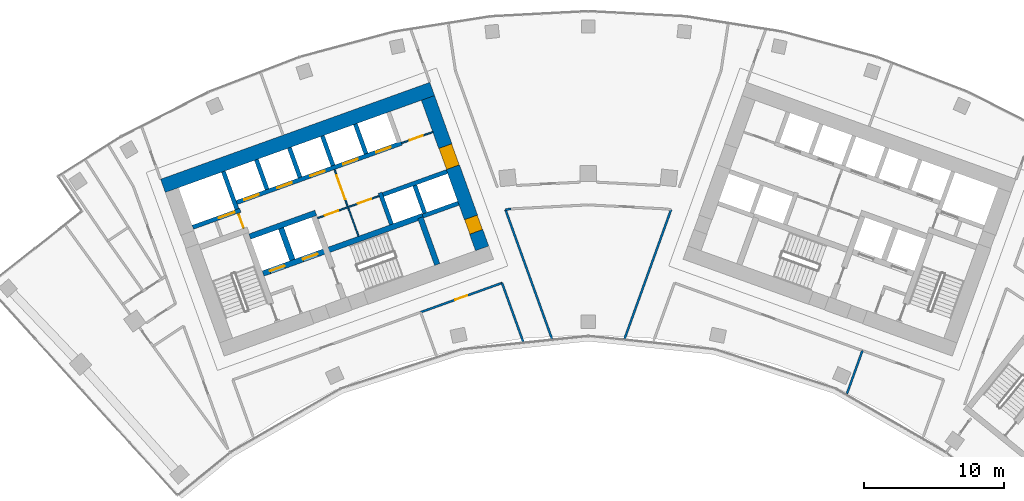
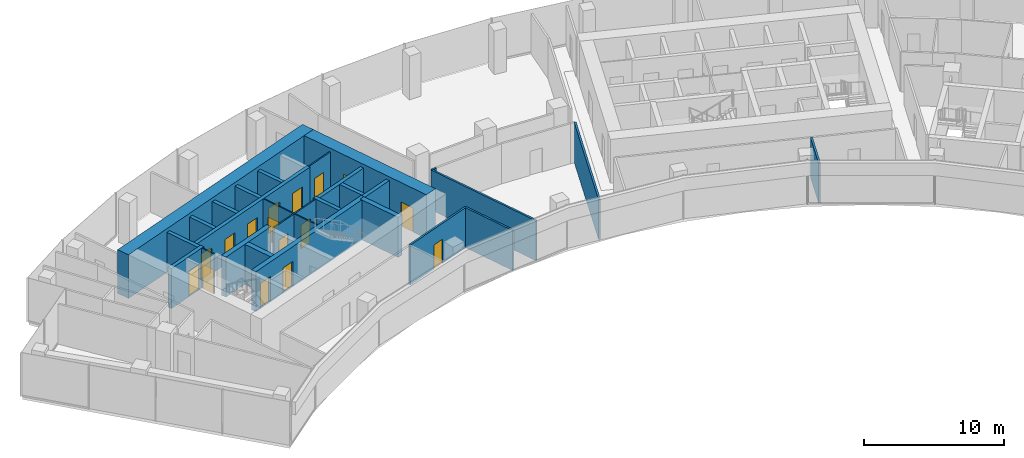
# One storey, part 12 of 17: 27 walls, 16 doors, 16 openings.
"""IFC4 building model written with IfcOpenShell, lengths in metres."""

from ifc_helpers import new_model, si_unit, direction, frame, frame_2d, origin, place, context, subcontext, project, spatial, rectangle, extrude, material, layer, layer_set, type_object, element, fill, save


model = new_model("IFC4")

# Units and contexts
model_context = context("Model", 3, precision=1e-05, world=origin(), true_north=direction((0.0, 1.0)))
body_context = subcontext(model_context, "Body", "Model", "MODEL_VIEW")
ifc_project = project(units=[si_unit("LENGTHUNIT", "METRE"), si_unit("AREAUNIT", "SQUARE_METRE"), si_unit("VOLUMEUNIT", "CUBIC_METRE"), si_unit("PLANEANGLEUNIT", "RADIAN"), si_unit("MASSUNIT", "GRAM", prefix="KILO")], contexts=[model_context])

# Site, building, storey
site_placement = place(None, origin())
site = spatial("IfcSite", under=ifc_project, at=site_placement, CompositionType="ELEMENT")
building_placement = place(site_placement, origin())
building = spatial("IfcBuilding", under=site, at=building_placement, Name="Stone Belt Terrace Tower", CompositionType="ELEMENT")
storey_placement = place(building_placement, frame((0.0, 0.0, 231.39990234375)))
storey = spatial("IfcBuildingStorey", under=building, at=storey_placement, Name="L56", CompositionType="ELEMENT", Elevation=231.39990234375)

# Wall, opening, door
ifc_material_1 = material(Name="Plasterboard partition")
ifc_layer_1 = layer(ifc_material_1, 0.10009765625)
ifc_layer_set_1 = layer_set([ifc_layer_1], Name="Core partition 100")
wall_type_1 = type_object("IfcWallType", Name="Core partition 100", PredefinedType="PARTITIONING", material=ifc_layer_set_1)
wall_1_placement = place(storey_placement, frame((-24.555908203125, 51.10400390625, 0.0), z_axis=(0.0, 0.0, 1.0), x_axis=(-0.338621735342, 0.94092258999, 0.0)))
wall_1 = element("IfcWall", 1, at=wall_1_placement, inside=storey, type_object=wall_type_1, Name="Core A wall", PredefinedType="PARTITIONING", context=body_context, shape_type="SweptSolid", body=[
    extrude(rectangle(XDim=1.14990234375, YDim=0.10009765625, at=frame_2d((0.574951171875, 0.0))), origin(), (0.0, 0.0, 1.0), 3.47998046875),
])
opening_1_placement = place(wall_1_placement, frame((0.050048828125, 0.0, 0.0)))
opening_1 = element("IfcOpeningElement", 2, at=opening_1_placement, cuts=wall_1, Name="Opening L56-C05", PredefinedType="OPENING", context=body_context, shape_type="SweptSolid", body=[
    extrude(rectangle(XDim=1.0, YDim=2.10009765625, at=frame_2d((0.5, 1.050048828125))), frame((0.0, 0.06005859375, 0.0), z_axis=(0.0, -1.0, 0.0), x_axis=(1.0, 0.0, 0.0)), (0.0, 0.0, 1.0), 0.1201171875),
])
ifc_material_2 = material(Name="Timber door leaf", Category="wood")
door_type_1 = type_object("IfcDoorType", Name="Core room door 1000", OperationType="SINGLE_SWING_LEFT", PredefinedType="DOOR", material=ifc_material_2)
door_1_placement = place(opening_1_placement, origin())
door_1 = element("IfcDoor", 3, at=door_1_placement, inside=storey, type_object=door_type_1, Name="Service lift lobby door core A", OperationType="SINGLE_SWING_RIGHT", OverallHeight=2.10009765625, OverallWidth=1.0, PredefinedType="DOOR", context=body_context, shape_type="SweptSolid", body=[
    extrude(rectangle(XDim=1.0, YDim=2.10009765625, at=frame_2d((0.5, 1.050048828125))), frame((0.0, 0.02490234375, 0.0), z_axis=(0.0, -1.0, 0.0), x_axis=(1.0, 0.0, 0.0)), (0.0, 0.0, 1.0), 0.050048828125),
])
fill(opening_1, door_1)

# Wall, openings, doors
wall_2_placement = place(storey_placement, frame((-19.29052734375, 51.829833984375, 0.0), z_axis=(0.0, 0.0, 1.0), x_axis=(0.940930240745, 0.338600475563, 0.0)))
wall_2 = element("IfcWall", 4, at=wall_2_placement, inside=storey, type_object=wall_type_1, Name="Core A wall", PredefinedType="PARTITIONING", context=body_context, shape_type="SweptSolid", body=[
    extrude(rectangle(XDim=4.64990234375, YDim=0.10009765625, at=frame_2d((2.324951171875, 0.0))), origin(), (0.0, 0.0, 1.0), 3.47998046875),
])
opening_2_placement = place(wall_2_placement, frame((0.550048828125, 0.0, 0.0)))
opening_2 = element("IfcOpeningElement", 5, at=opening_2_placement, cuts=wall_2, Name="Opening L56-C02", PredefinedType="OPENING", context=body_context, shape_type="SweptSolid", body=[
    extrude(rectangle(XDim=1.0, YDim=2.10009765625, at=frame_2d((0.5, 1.050048828125))), frame((0.0, 0.06005859375, 0.0), z_axis=(0.0, -1.0, 0.0), x_axis=(1.0, 0.0, 0.0)), (0.0, 0.0, 1.0), 0.1201171875),
])
opening_3_placement = place(wall_2_placement, frame((3.050048828125, 0.0, 0.0)))
opening_3 = element("IfcOpeningElement", 6, at=opening_3_placement, cuts=wall_2, Name="Opening L56-C03", PredefinedType="OPENING", context=body_context, shape_type="SweptSolid", body=[
    extrude(rectangle(XDim=1.0, YDim=2.10009765625, at=frame_2d((0.5, 1.050048828125))), frame((0.0, 0.06005859375, 0.0), z_axis=(0.0, -1.0, 0.0), x_axis=(1.0, 0.0, 0.0)), (0.0, 0.0, 1.0), 0.1201171875),
])
door_2_placement = place(opening_2_placement, origin())
door_2 = element("IfcDoor", 7, at=door_2_placement, inside=storey, type_object=door_type_1, Name="Door to Communications hub room core A", OperationType="SINGLE_SWING_RIGHT", OverallHeight=2.10009765625, OverallWidth=1.0, PredefinedType="DOOR", context=body_context, shape_type="SweptSolid", body=[
    extrude(rectangle(XDim=1.0, YDim=2.10009765625, at=frame_2d((0.5, 1.050048828125))), frame((0.0, 0.02490234375, 0.0), z_axis=(0.0, -1.0, 0.0), x_axis=(1.0, 0.0, 0.0)), (0.0, 0.0, 1.0), 0.050048828125),
])
fill(opening_2, door_2)
door_3_placement = place(opening_3_placement, origin())
door_3 = element("IfcDoor", 8, at=door_3_placement, inside=storey, type_object=door_type_1, Name="Door to Print and copy room core A", OperationType="SINGLE_SWING_LEFT", OverallHeight=2.10009765625, OverallWidth=1.0, PredefinedType="DOOR", context=body_context, shape_type="SweptSolid", body=[
    extrude(rectangle(XDim=1.0, YDim=2.10009765625, at=frame_2d((0.5, 1.050048828125))), frame((0.0, 0.02490234375, 0.0), z_axis=(0.0, -1.0, 0.0), x_axis=(1.0, 0.0, 0.0)), (0.0, 0.0, 1.0), 0.050048828125),
])
fill(opening_3, door_3)

# Wall, opening, door
wall_3_placement = place(storey_placement, frame((-16.38134765625, 50.53857421875, 0.0), z_axis=(0.0, 0.0, 1.0), x_axis=(-0.33860476744, 0.940928696271, 0.0)))
wall_3 = element("IfcWall", 9, at=wall_3_placement, inside=storey, type_object=wall_type_1, Name="Core A wall", PredefinedType="PARTITIONING", context=body_context, shape_type="SweptSolid", body=[
    extrude(rectangle(XDim=5.050048828125, YDim=0.10009765625, at=frame_2d((2.52490234375, 0.0))), origin(), (0.0, 0.0, 1.0), 3.47998046875),
])
opening_4_placement = place(wall_3_placement, frame((2.800048828125, 0.0, 0.0)))
opening_4 = element("IfcOpeningElement", 10, at=opening_4_placement, cuts=wall_3, Name="Opening L56-C06", PredefinedType="OPENING", context=body_context, shape_type="SweptSolid", body=[
    extrude(rectangle(XDim=1.800048828125, YDim=2.10009765625, at=frame_2d((0.89990234375, 1.050048828125))), frame((0.0, 0.06005859375, 0.0), z_axis=(0.0, -1.0, 0.0), x_axis=(1.0, 0.0, 0.0)), (0.0, 0.0, 1.0), 0.1201171875),
])
ifc_material_3 = material(Name="Glazed aluminium door leaf", Category="aluminium")
door_type_2 = type_object("IfcDoorType", Name="Lift lobby entrance door 1800", OperationType="DOUBLE_DOOR_SINGLE_SWING", PredefinedType="DOOR", material=ifc_material_3)
door_4_placement = place(opening_4_placement, origin())
door_4 = element("IfcDoor", 11, at=door_4_placement, inside=storey, type_object=door_type_2, Name="Lift lobby double door core A", OperationType="DOUBLE_DOOR_SINGLE_SWING", OverallHeight=2.10009765625, OverallWidth=1.800048828125, PredefinedType="DOOR", context=body_context, shape_type="SweptSolid", body=[
    extrude(rectangle(XDim=1.800048828125, YDim=2.10009765625, at=frame_2d((0.89990234375, 1.050048828125))), frame((0.0, 0.02490234375, 0.0), z_axis=(0.0, -1.0, 0.0), x_axis=(1.0, 0.0, 0.0)), (0.0, 0.0, 1.0), 0.050048828125),
])
fill(opening_4, door_4)

wall_4_placement = place(storey_placement, frame((-13.29638671875, 57.17529296875, 0.0), z_axis=(0.0, 0.0, 1.0), x_axis=(0.940904627055, 0.338671644496, 0.0)))
wall_4 = element("IfcWall", 12, at=wall_4_placement, inside=storey, type_object=wall_type_1, Name="Core A wall", PredefinedType="PARTITIONING", context=body_context, shape_type="SweptSolid", body=[
    extrude(rectangle(XDim=2.35009765625, YDim=0.10009765625, at=frame_2d((1.175048828125, 0.0))), origin(), (0.0, 0.0, 1.0), 3.47998046875),
])
opening_5_placement = place(wall_4_placement, frame((0.60009765625, 0.0, 0.0)))
opening_5 = element("IfcOpeningElement", 13, at=opening_5_placement, cuts=wall_4, Name="Opening L56-C01", PredefinedType="OPENING", context=body_context, shape_type="SweptSolid", body=[
    extrude(rectangle(XDim=1.0, YDim=2.10009765625, at=frame_2d((0.5, 1.050048828125))), frame((0.0, 0.06005859375, 0.0), z_axis=(0.0, -1.0, 0.0), x_axis=(1.0, 0.0, 0.0)), (0.0, 0.0, 1.0), 0.1201171875),
])
door_5_placement = place(opening_5_placement, origin())
door_5 = element("IfcDoor", 14, at=door_5_placement, inside=storey, type_object=door_type_1, Name="Door to Tenant storage room core A", OperationType="SINGLE_SWING_RIGHT", OverallHeight=2.10009765625, OverallWidth=1.0, PredefinedType="DOOR", context=body_context, shape_type="SweptSolid", body=[
    extrude(rectangle(XDim=1.0, YDim=2.10009765625, at=frame_2d((0.5, 1.050048828125))), frame((0.0, 0.02490234375, 0.0), z_axis=(0.0, -1.0, 0.0), x_axis=(1.0, 0.0, 0.0)), (0.0, 0.0, 1.0), 0.050048828125),
])
fill(opening_5, door_5)

# Wall
ifc_material_4 = material(Name="Concrete B60", Category="concrete")
ifc_layer_2 = layer(ifc_material_4, 1.0)
ifc_layer_set_2 = layer_set([ifc_layer_2], Name="Core wall 1000 B60")
wall_type_2 = type_object("IfcWallType", Name="Core wall 1000 B60", PredefinedType="SHEAR", material=ifc_layer_set_2)
wall_5_placement = place(storey_placement, frame((-30.3212890625, 54.13037109375, 0.0), z_axis=(0.0, 0.0, 1.0), x_axis=(0.940921428504, 0.338624962727, 0.0)))
element("IfcWall", 15, at=wall_5_placement, inside=storey, type_object=wall_type_2, Name="Core A wall convex L56", PredefinedType="SHEAR", context=body_context, shape_type="SweptSolid", body=[
    extrude(rectangle(XDim=20.400146484375, YDim=1.0, at=frame_2d((10.2001953125, 0.0))), origin(), (0.0, 0.0, 1.0), 3.800048828125),
])

# Wall, openings, doors
wall_6_placement = place(storey_placement, frame((-7.567138671875, 49.672119140625, 0.0), z_axis=(0.0, 0.0, 1.0), x_axis=(-0.338625431531, 0.940921259788, 0.0)))
wall_6 = element("IfcWall", 16, at=wall_6_placement, inside=storey, type_object=wall_type_2, Name="Core A wall end_b L56", PredefinedType="SHEAR", context=body_context, shape_type="SweptSolid", body=[
    extrude(rectangle(XDim=11.400146484375, YDim=1.0, at=frame_2d((5.7001953125, 0.0))), origin(), (0.0, 0.0, 1.0), 3.800048828125),
])
opening_6_placement = place(wall_6_placement, frame((6.14990234375, 0.0, 0.0)))
opening_6 = element("IfcOpeningElement", 17, at=opening_6_placement, cuts=wall_6, Name="Opening L56-C07", PredefinedType="OPENING", context=body_context, shape_type="SweptSolid", body=[
    extrude(rectangle(XDim=1.60009765625, YDim=2.10009765625, at=frame_2d((0.800048828125, 1.050048828125))), frame((0.0, 0.510009765625, 0.0), z_axis=(0.0, -1.0, 0.0), x_axis=(1.0, 0.0, 0.0)), (0.0, 0.0, 1.0), 1.02001953125),
])
opening_7_placement = place(wall_6_placement, frame((1.25, 0.0, 0.0)))
opening_7 = element("IfcOpeningElement", 18, at=opening_7_placement, cuts=wall_6, Name="Opening L56-C13", PredefinedType="OPENING", context=body_context, shape_type="SweptSolid", body=[
    extrude(rectangle(XDim=1.10009765625, YDim=2.10009765625, at=frame_2d((0.550048828125, 1.050048828125))), frame((0.0, 0.510009765625, 0.0), z_axis=(0.0, -1.0, 0.0), x_axis=(1.0, 0.0, 0.0)), (0.0, 0.0, 1.0), 1.02001953125),
])
door_type_3 = type_object("IfcDoorType", Name="Core room door 1100", OperationType="SINGLE_SWING_LEFT", PredefinedType="DOOR", material=ifc_material_2)
door_6_placement = place(opening_7_placement, origin())
door_6 = element("IfcDoor", 19, at=door_6_placement, inside=storey, type_object=door_type_3, Name="Door to Electrical riser room core A", OperationType="SINGLE_SWING_RIGHT", OverallHeight=2.10009765625, OverallWidth=1.10009765625, PredefinedType="DOOR", context=body_context, shape_type="SweptSolid", body=[
    extrude(rectangle(XDim=1.10009765625, YDim=2.10009765625, at=frame_2d((0.550048828125, 1.050048828125))), frame((0.0, 0.47998046875, 0.0), z_axis=(0.0, -1.0, 0.0), x_axis=(1.0, 0.0, 0.0)), (0.0, 0.0, 1.0), 0.9599609375),
])
fill(opening_7, door_6)
door_type_4 = type_object("IfcDoorType", Name="Lift lobby entrance door 1600", OperationType="DOUBLE_DOOR_SINGLE_SWING", PredefinedType="DOOR", material=ifc_material_3)
door_7_placement = place(opening_6_placement, origin())
door_7 = element("IfcDoor", 20, at=door_7_placement, inside=storey, type_object=door_type_4, Name="Lift lobby entrance door core A", OperationType="DOUBLE_DOOR_SINGLE_SWING", OverallHeight=2.10009765625, OverallWidth=1.60009765625, PredefinedType="DOOR", context=body_context, shape_type="SweptSolid", body=[
    extrude(rectangle(XDim=1.60009765625, YDim=2.10009765625, at=frame_2d((0.800048828125, 1.050048828125))), frame((0.0, 0.47998046875, 0.0), z_axis=(0.0, -1.0, 0.0), x_axis=(1.0, 0.0, 0.0)), (0.0, 0.0, 1.0), 0.9599609375),
])
fill(opening_6, door_7)

# Walls
ifc_material_5 = material(Name="Concrete B80", Category="concrete")
ifc_layer_3 = layer(ifc_material_5, 0.39990234375)
ifc_layer_set_3 = layer_set([ifc_layer_3], Name="Fire-fighting lift shaft wall 400")
wall_type_3 = type_object("IfcWallType", Name="Fire-fighting lift shaft wall 400", PredefinedType="SHEAR", material=ifc_layer_set_3)
wall_7_placement = place(storey_placement, frame((-24.130615234375, 50.512939453125, 0.0), z_axis=(0.0, 0.0, 1.0), x_axis=(0.94091168377, 0.338652038744, 0.0)))
element("IfcWall", 21, at=wall_7_placement, inside=storey, type_object=wall_type_3, Name="Core A wall", PredefinedType="SHEAR", context=body_context, shape_type="SweptSolid", body=[
    extrude(rectangle(XDim=5.000244140625, YDim=0.39990234375, at=frame_2d((2.5, 0.0))), origin(), (0.0, 0.0, 1.0), 3.47998046875),
])
wall_8_placement = place(storey_placement, frame((-21.0859375, 48.845458984375, 0.0), z_axis=(0.0, 0.0, 1.0), x_axis=(-0.338629416206, 0.940919825745, 0.0)))
element("IfcWall", 22, at=wall_8_placement, inside=storey, type_object=wall_type_3, Name="Core A wall", PredefinedType="SHEAR", context=body_context, shape_type="SweptSolid", body=[
    extrude(rectangle(XDim=2.400146484375, YDim=0.39990234375, at=frame_2d((1.2001953125, 0.0))), origin(), (0.0, 0.0, 1.0), 3.47998046875),
])

# Wall, opening, door
ifc_layer_4 = layer(ifc_material_5, 0.300048828125)
ifc_layer_set_4 = layer_set([ifc_layer_4], Name="Lift shaft wall 300")
wall_type_4 = type_object("IfcWallType", Name="Lift shaft wall 300", PredefinedType="SHEAR", material=ifc_layer_set_4)
wall_9_placement = place(storey_placement, frame((-28.195068359375, 51.17578125, 0.0), z_axis=(0.0, 0.0, 1.0), x_axis=(0.940901243567, 0.338681044427, 0.0)))
wall_9 = element("IfcWall", 23, at=wall_9_placement, inside=storey, type_object=wall_type_4, Name="Core A wall", PredefinedType="SHEAR", context=body_context, shape_type="SweptSolid", body=[
    extrude(rectangle(XDim=3.599853515625, YDim=0.300048828125, at=frame_2d((1.7998046875, 0.0))), origin(), (0.0, 0.0, 1.0), 3.47998046875),
])
opening_8_placement = place(wall_9_placement, frame((1.969970703125, 0.0, 0.0)))
opening_8 = element("IfcOpeningElement", 24, at=opening_8_placement, cuts=wall_9, Name="Opening L56-LD08", PredefinedType="OPENING", context=body_context, shape_type="SweptSolid", body=[
    extrude(rectangle(XDim=1.199951171875, YDim=2.199951171875, at=frame_2d((0.60009765625, 1.10009765625))), frame((0.0, 0.159912109375, 0.0), z_axis=(0.0, -1.0, 0.0), x_axis=(1.0, 0.0, 0.0)), (0.0, 0.0, 1.0), 0.320068359375),
])
ifc_material_6 = material(Name="Stainless steel door leaf", Category="steel")
door_type_5 = type_object("IfcDoorType", Name="Landing door 1200", OperationType="SLIDING_TO_LEFT", PredefinedType="DOOR", material=ifc_material_6)
door_8_placement = place(opening_8_placement, origin())
door_8 = element("IfcDoor", 25, at=door_8_placement, inside=storey, type_object=door_type_5, Name="Landing door SV1 core A", OperationType="SLIDING_TO_LEFT", OverallHeight=2.199951171875, OverallWidth=1.199951171875, PredefinedType="DOOR", context=body_context, shape_type="SweptSolid", body=[
    extrude(rectangle(XDim=1.199951171875, YDim=2.199951171875, at=frame_2d((0.60009765625, 1.10009765625))), frame((0.0, 0.02490234375, 0.0), z_axis=(0.0, -1.0, 0.0), x_axis=(1.0, 0.0, 0.0)), (0.0, 0.0, 1.0), 0.050048828125),
])
fill(opening_8, door_8)

# Wall
wall_10_placement = place(storey_placement, frame((-25.046875, 52.46826171875, 0.0), z_axis=(0.0, 0.0, 1.0), x_axis=(-0.338549588058, 0.940948551423, 0.0)))
element("IfcWall", 26, at=wall_10_placement, inside=storey, type_object=wall_type_4, Name="Core A wall", PredefinedType="SHEAR", context=body_context, shape_type="SweptSolid", body=[
    extrude(rectangle(XDim=2.849853515625, YDim=0.300048828125, at=frame_2d((1.4248046875, 0.0))), origin(), (0.0, 0.0, 1.0), 3.47998046875),
])

# Wall, openings, doors
wall_11_placement = place(storey_placement, frame((-25.05810546875, 52.9423828125, 0.0), z_axis=(0.0, 0.0, 1.0), x_axis=(0.940920770291, 0.338626791666, 0.0)))
wall_11 = element("IfcWall", 27, at=wall_11_placement, inside=storey, type_object=wall_type_4, Name="Core A wall", PredefinedType="SHEAR", context=body_context, shape_type="SweptSolid", body=[
    extrude(rectangle(XDim=12.500244140625, YDim=0.300048828125, at=frame_2d((6.25, 0.0))), origin(), (0.0, 0.0, 1.0), 3.47998046875),
])
opening_9_placement = place(wall_11_placement, frame((0.570068359375, 0.0, 0.0)))
opening_9 = element("IfcOpeningElement", 28, at=opening_9_placement, cuts=wall_11, Name="Opening L56-LD01", PredefinedType="OPENING", context=body_context, shape_type="SweptSolid", body=[
    extrude(rectangle(XDim=1.10009765625, YDim=2.199951171875, at=frame_2d((0.550048828125, 1.10009765625))), frame((0.0, 0.159912109375, 0.0), z_axis=(0.0, -1.0, 0.0), x_axis=(1.0, 0.0, 0.0)), (0.0, 0.0, 1.0), 0.320068359375),
])
opening_10_placement = place(wall_11_placement, frame((3.070068359375, 0.0, 0.0)))
opening_10 = element("IfcOpeningElement", 29, at=opening_10_placement, cuts=wall_11, Name="Opening L56-LD02", PredefinedType="OPENING", context=body_context, shape_type="SweptSolid", body=[
    extrude(rectangle(XDim=1.10009765625, YDim=2.199951171875, at=frame_2d((0.550048828125, 1.10009765625))), frame((0.0, 0.159912109375, 0.0), z_axis=(0.0, -1.0, 0.0), x_axis=(1.0, 0.0, 0.0)), (0.0, 0.0, 1.0), 0.320068359375),
])
opening_11_placement = place(wall_11_placement, frame((5.570068359375, 0.0, 0.0)))
opening_11 = element("IfcOpeningElement", 30, at=opening_11_placement, cuts=wall_11, Name="Opening L56-LD03", PredefinedType="OPENING", context=body_context, shape_type="SweptSolid", body=[
    extrude(rectangle(XDim=1.10009765625, YDim=2.199951171875, at=frame_2d((0.550048828125, 1.10009765625))), frame((0.0, 0.159912109375, 0.0), z_axis=(0.0, -1.0, 0.0), x_axis=(1.0, 0.0, 0.0)), (0.0, 0.0, 1.0), 0.320068359375),
])
opening_12_placement = place(wall_11_placement, frame((8.070068359375, 0.0, 0.0)))
opening_12 = element("IfcOpeningElement", 31, at=opening_12_placement, cuts=wall_11, Name="Opening L56-LD04", PredefinedType="OPENING", context=body_context, shape_type="SweptSolid", body=[
    extrude(rectangle(XDim=1.10009765625, YDim=2.199951171875, at=frame_2d((0.550048828125, 1.10009765625))), frame((0.0, 0.159912109375, 0.0), z_axis=(0.0, -1.0, 0.0), x_axis=(1.0, 0.0, 0.0)), (0.0, 0.0, 1.0), 0.320068359375),
])
opening_13_placement = place(wall_11_placement, frame((10.570068359375, 0.0, 0.0)))
opening_13 = element("IfcOpeningElement", 32, at=opening_13_placement, cuts=wall_11, Name="Opening L56-LD05", PredefinedType="OPENING", context=body_context, shape_type="SweptSolid", body=[
    extrude(rectangle(XDim=1.10009765625, YDim=2.199951171875, at=frame_2d((0.550048828125, 1.10009765625))), frame((0.0, 0.159912109375, 0.0), z_axis=(0.0, -1.0, 0.0), x_axis=(1.0, 0.0, 0.0)), (0.0, 0.0, 1.0), 0.320068359375),
])
door_type_6 = type_object("IfcDoorType", Name="Landing door 1100", OperationType="SLIDING_TO_LEFT", PredefinedType="DOOR", material=ifc_material_6)
door_9_placement = place(opening_9_placement, origin())
door_9 = element("IfcDoor", 33, at=door_9_placement, inside=storey, type_object=door_type_6, Name="Landing door MR1 core A", OperationType="SLIDING_TO_LEFT", OverallHeight=2.199951171875, OverallWidth=1.10009765625, PredefinedType="DOOR", context=body_context, shape_type="SweptSolid", body=[
    extrude(rectangle(XDim=1.10009765625, YDim=2.199951171875, at=frame_2d((0.550048828125, 1.10009765625))), frame((0.0, 0.02490234375, 0.0), z_axis=(0.0, -1.0, 0.0), x_axis=(1.0, 0.0, 0.0)), (0.0, 0.0, 1.0), 0.050048828125),
])
fill(opening_9, door_9)
door_10_placement = place(opening_10_placement, origin())
door_10 = element("IfcDoor", 34, at=door_10_placement, inside=storey, type_object=door_type_6, Name="Landing door MR2 core A", OperationType="SLIDING_TO_LEFT", OverallHeight=2.199951171875, OverallWidth=1.10009765625, PredefinedType="DOOR", context=body_context, shape_type="SweptSolid", body=[
    extrude(rectangle(XDim=1.10009765625, YDim=2.199951171875, at=frame_2d((0.550048828125, 1.10009765625))), frame((0.0, 0.02490234375, 0.0), z_axis=(0.0, -1.0, 0.0), x_axis=(1.0, 0.0, 0.0)), (0.0, 0.0, 1.0), 0.050048828125),
])
fill(opening_10, door_10)
door_11_placement = place(opening_11_placement, origin())
door_11 = element("IfcDoor", 35, at=door_11_placement, inside=storey, type_object=door_type_6, Name="Landing door MR3 core A", OperationType="SLIDING_TO_LEFT", OverallHeight=2.199951171875, OverallWidth=1.10009765625, PredefinedType="DOOR", context=body_context, shape_type="SweptSolid", body=[
    extrude(rectangle(XDim=1.10009765625, YDim=2.199951171875, at=frame_2d((0.550048828125, 1.10009765625))), frame((0.0, 0.02490234375, 0.0), z_axis=(0.0, -1.0, 0.0), x_axis=(1.0, 0.0, 0.0)), (0.0, 0.0, 1.0), 0.050048828125),
])
fill(opening_11, door_11)
door_12_placement = place(opening_12_placement, origin())
door_12 = element("IfcDoor", 36, at=door_12_placement, inside=storey, type_object=door_type_6, Name="Landing door MR4 core A", OperationType="SLIDING_TO_LEFT", OverallHeight=2.199951171875, OverallWidth=1.10009765625, PredefinedType="DOOR", context=body_context, shape_type="SweptSolid", body=[
    extrude(rectangle(XDim=1.10009765625, YDim=2.199951171875, at=frame_2d((0.550048828125, 1.10009765625))), frame((0.0, 0.02490234375, 0.0), z_axis=(0.0, -1.0, 0.0), x_axis=(1.0, 0.0, 0.0)), (0.0, 0.0, 1.0), 0.050048828125),
])
fill(opening_12, door_12)
door_13_placement = place(opening_13_placement, origin())
door_13 = element("IfcDoor", 37, at=door_13_placement, inside=storey, type_object=door_type_6, Name="Landing door MR5 core A", OperationType="SLIDING_TO_LEFT", OverallHeight=2.199951171875, OverallWidth=1.10009765625, PredefinedType="DOOR", context=body_context, shape_type="SweptSolid", body=[
    extrude(rectangle(XDim=1.10009765625, YDim=2.199951171875, at=frame_2d((0.550048828125, 1.10009765625))), frame((0.0, 0.02490234375, 0.0), z_axis=(0.0, -1.0, 0.0), x_axis=(1.0, 0.0, 0.0)), (0.0, 0.0, 1.0), 0.050048828125),
])
fill(opening_13, door_13)

# Walls
wall_12_placement = place(storey_placement, frame((-22.897705078125, 53.87939453125, 0.0), z_axis=(0.0, 0.0, 1.0), x_axis=(-0.338535034312, 0.940953787677, 0.0)))
element("IfcWall", 38, at=wall_12_placement, inside=storey, type_object=wall_type_4, Name="Core A wall", PredefinedType="SHEAR", context=body_context, shape_type="SweptSolid", body=[
    extrude(rectangle(XDim=2.25, YDim=0.300048828125, at=frame_2d((1.125, 0.0))), origin(), (0.0, 0.0, 1.0), 3.47998046875),
])
wall_13_placement = place(storey_placement, frame((-20.54541015625, 54.72607421875, 0.0), z_axis=(0.0, 0.0, 1.0), x_axis=(-0.338569601369, 0.940941350472, 0.0)))
element("IfcWall", 39, at=wall_13_placement, inside=storey, type_object=wall_type_4, Name="Core A wall", PredefinedType="SHEAR", context=body_context, shape_type="SweptSolid", body=[
    extrude(rectangle(XDim=2.249755859375, YDim=0.300048828125, at=frame_2d((1.125, 0.0))), origin(), (0.0, 0.0, 1.0), 3.47998046875),
])
wall_14_placement = place(storey_placement, frame((-18.193115234375, 55.572509765625, 0.0), z_axis=(0.0, 0.0, 1.0), x_axis=(-0.338535034312, 0.940953787677, 0.0)))
element("IfcWall", 40, at=wall_14_placement, inside=storey, type_object=wall_type_4, Name="Core A wall", PredefinedType="SHEAR", context=body_context, shape_type="SweptSolid", body=[
    extrude(rectangle(XDim=2.25, YDim=0.300048828125, at=frame_2d((1.125, 0.0))), origin(), (0.0, 0.0, 1.0), 3.47998046875),
])
wall_15_placement = place(storey_placement, frame((-14.029052734375, 51.38525390625, 0.0), z_axis=(0.0, 0.0, 1.0), x_axis=(-0.338661829791, 0.940908159728, 0.0)))
element("IfcWall", 41, at=wall_15_placement, inside=storey, type_object=wall_type_4, Name="Core A wall", PredefinedType="SHEAR", context=body_context, shape_type="SweptSolid", body=[
    extrude(rectangle(XDim=2.39990234375, YDim=0.300048828125, at=frame_2d((1.199951171875, 0.0))), origin(), (0.0, 0.0, 1.0), 3.47998046875),
])
wall_16_placement = place(storey_placement, frame((-14.6328125, 53.506103515625, 0.0), z_axis=(0.0, 0.0, 1.0), x_axis=(0.940931684323, 0.338596464007, 0.0)))
element("IfcWall", 42, at=wall_16_placement, inside=storey, type_object=wall_type_4, Name="Core A wall", PredefinedType="SHEAR", context=body_context, shape_type="SweptSolid", body=[
    extrude(rectangle(XDim=4.849609375, YDim=0.300048828125, at=frame_2d((2.4248046875, 0.0))), origin(), (0.0, 0.0, 1.0), 3.47998046875),
])
wall_17_placement = place(storey_placement, frame((-15.8408203125, 56.419189453125, 0.0), z_axis=(0.0, 0.0, 1.0), x_axis=(-0.338569601369, 0.940941350472, 0.0)))
element("IfcWall", 43, at=wall_17_placement, inside=storey, type_object=wall_type_4, Name="Core A wall", PredefinedType="SHEAR", context=body_context, shape_type="SweptSolid", body=[
    extrude(rectangle(XDim=2.249755859375, YDim=0.300048828125, at=frame_2d((1.125, 0.0))), origin(), (0.0, 0.0, 1.0), 3.47998046875),
])
wall_18_placement = place(storey_placement, frame((-11.797119140625, 51.975830078125, 0.0), z_axis=(0.0, 0.0, 1.0), x_axis=(0.940910465161, 0.33865542451, 0.0)))
element("IfcWall", 44, at=wall_18_placement, inside=storey, type_object=wall_type_4, Name="Core A wall", PredefinedType="SHEAR", context=body_context, shape_type="SweptSolid", body=[
    extrude(rectangle(XDim=2.69970703125, YDim=0.300048828125, at=frame_2d((1.349853515625, 0.0))), origin(), (0.0, 0.0, 1.0), 3.47998046875),
])
wall_19_placement = place(storey_placement, frame((-11.659912109375, 52.184814453125, 0.0), z_axis=(0.0, 0.0, 1.0), x_axis=(-0.338670064856, 0.940905195634, 0.0)))
element("IfcWall", 45, at=wall_19_placement, inside=storey, type_object=wall_type_4, Name="Core A wall", PredefinedType="SHEAR", context=body_context, shape_type="SweptSolid", body=[
    extrude(rectangle(XDim=2.099853515625, YDim=0.300048828125, at=frame_2d((1.0498046875, 0.0))), origin(), (0.0, 0.0, 1.0), 3.47998046875),
])
ifc_material_7 = material(Name="Gypsum board partition")
ifc_layer_5 = layer(ifc_material_7, 0.14990234375)
ifc_layer_set_5 = layer_set([ifc_layer_5], Name="PARTITION 150 EI 60")
wall_type_5 = type_object("IfcWallType", Name="PARTITION 150 EI 60", PredefinedType="PARTITIONING", material=ifc_layer_set_5)
wall_20_placement = place(storey_placement, frame((-4.638427734375, 43.012451171875, 0.0), z_axis=(0.0, 0.0, 1.0), x_axis=(-0.338583902482, 0.940936204522, 0.0)))
element("IfcWall", 46, at=wall_20_placement, inside=storey, type_object=wall_type_5, Name="L56/wall/i007", PredefinedType="PARTITIONING", context=body_context, shape_type="SweptSolid", body=[
    extrude(rectangle(XDim=4.464111328125, YDim=0.14990234375, at=frame_2d((2.23193359375, 0.0))), origin(), (0.0, 0.0, 1.0), 3.47998046875),
])
wall_21_placement = place(storey_placement, frame((-5.906005859375, 52.44091796875, 0.0), z_axis=(0.0, 0.0, 1.0), x_axis=(0.33864618549, -0.940913790447, 0.0)))
element("IfcWall", 47, at=wall_21_placement, inside=storey, type_object=wall_type_5, Name="L56/wall/i009", PredefinedType="PARTITIONING", context=body_context, shape_type="SweptSolid", body=[
    extrude(rectangle(XDim=9.791748046875, YDim=0.14990234375, at=frame_2d((4.89599609375, 0.0))), origin(), (0.0, 0.0, 1.0), 3.47998046875),
])

# Wall, opening, door
wall_22_placement = place(storey_placement, frame((-6.14892578125, 47.20703125, 0.0), z_axis=(0.0, 0.0, 1.0), x_axis=(-0.940917691386, -0.338635346704, 0.0)))
wall_22 = element("IfcWall", 48, at=wall_22_placement, inside=storey, type_object=wall_type_5, Name="L56/wall/i013", PredefinedType="PARTITIONING", context=body_context, shape_type="SweptSolid", body=[
    extrude(rectangle(XDim=6.166259765625, YDim=0.14990234375, at=frame_2d((3.0830078125, 0.0))), origin(), (0.0, 0.0, 1.0), 3.47998046875),
])
opening_14_placement = place(wall_22_placement, frame((2.633056640625, 0.0, 0.0)))
opening_14 = element("IfcOpeningElement", 49, at=opening_14_placement, cuts=wall_22, Name="Opening D-D4-02", PredefinedType="OPENING", context=body_context, shape_type="SweptSolid", body=[
    extrude(rectangle(XDim=0.89990234375, YDim=2.10009765625, at=frame_2d((0.449951171875, 1.050048828125))), frame((0.0, 0.0849609375, 0.0), z_axis=(0.0, -1.0, 0.0), x_axis=(1.0, 0.0, 0.0)), (0.0, 0.0, 1.0), 0.169921875),
])
door_type_7 = type_object("IfcDoorType", Name="OFFICE DOOR 900 X 2100", OperationType="NOTDEFINED", PredefinedType="DOOR", material=ifc_material_2)
door_14_placement = place(opening_14_placement, origin())
door_14 = element("IfcDoor", 50, at=door_14_placement, inside=storey, type_object=door_type_7, Name="L56/door/i02", OperationType="SINGLE_SWING_RIGHT", OverallHeight=2.10009765625, OverallWidth=0.89990234375, PredefinedType="DOOR", context=body_context, shape_type="SweptSolid", body=[
    extrude(rectangle(XDim=0.89990234375, YDim=2.10009765625, at=frame_2d((0.449951171875, 1.050048828125))), frame((0.0, 0.02490234375, 0.0), z_axis=(0.0, -1.0, 0.0), x_axis=(1.0, 0.0, 0.0)), (0.0, 0.0, 1.0), 0.050048828125),
])
fill(opening_14, door_14)

# Walls
wall_23_placement = place(storey_placement, frame((2.590087890625, 43.227783203125, 0.0), z_axis=(0.0, 0.0, 1.0), x_axis=(0.33864618549, 0.940913790447, 0.0)))
element("IfcWall", 51, at=wall_23_placement, inside=storey, type_object=wall_type_5, Name="L56/wall/i018", PredefinedType="PARTITIONING", context=body_context, shape_type="SweptSolid", body=[
    extrude(rectangle(XDim=9.791748046875, YDim=0.14990234375, at=frame_2d((4.89599609375, 0.0))), origin(), (0.0, 0.0, 1.0), 3.47998046875),
])
wall_24_placement = place(storey_placement, frame((19.547119140625, 42.385009765625, 0.0), z_axis=(0.0, 0.0, 1.0), x_axis=(-0.338737974885, -0.940880749283, 0.0)))
element("IfcWall", 52, at=wall_24_placement, inside=storey, type_object=wall_type_5, Name="L56/wall/i030", PredefinedType="PARTITIONING", context=body_context, shape_type="SweptSolid", body=[
    extrude(rectangle(XDim=3.27001953125, YDim=0.14990234375, at=frame_2d((1.635009765625, 0.0))), origin(), (0.0, 0.0, 1.0), 3.47998046875),
])
wall_25_placement = place(storey_placement, frame((-5.51611328125, 52.486083984375, 0.0), z_axis=(0.0, 0.0, 1.0), x_axis=(-0.991780421826, -0.127951533338, 0.0)))
element("IfcWall", 53, at=wall_25_placement, inside=storey, type_object=wall_type_5, Name="L56/wall/i069", PredefinedType="PARTITIONING", context=body_context, shape_type="SweptSolid", body=[
    extrude(rectangle(XDim=0.39111328125, YDim=0.14990234375, at=frame_2d((0.195556640625, 0.0))), origin(), (0.0, 0.0, 1.0), 3.47998046875),
])

# Wall, openings, doors
ifc_layer_6 = layer(ifc_material_5, 0.39990234375)
ifc_layer_set_6 = layer_set([ifc_layer_6], Name="Stair enclosure wall 400")
wall_type_6 = type_object("IfcWallType", Name="Stair enclosure wall 400", PredefinedType="SHEAR", material=ifc_layer_set_6)
wall_26_placement = place(storey_placement, frame((-23.182373046875, 47.87841796875, 0.0), z_axis=(0.0, 0.0, 1.0), x_axis=(0.940921101762, 0.338625870628, 0.0)))
wall_26 = element("IfcWall", 54, at=wall_26_placement, inside=storey, type_object=wall_type_6, Name="Core A wall", PredefinedType="SHEAR", context=body_context, shape_type="SweptSolid", body=[
    extrude(rectangle(XDim=12.10009765625, YDim=0.39990234375, at=frame_2d((6.050048828125, 0.0))), origin(), (0.0, 0.0, 1.0), 3.47998046875),
])
opening_15_placement = place(wall_26_placement, frame((0.52001953125, 0.0, 0.0)))
opening_15 = element("IfcOpeningElement", 55, at=opening_15_placement, cuts=wall_26, Name="Opening L56-LD06", PredefinedType="OPENING", context=body_context, shape_type="SweptSolid", body=[
    extrude(rectangle(XDim=1.10009765625, YDim=2.199951171875, at=frame_2d((0.550048828125, 1.10009765625))), frame((0.0, 0.2099609375, 0.0), z_axis=(0.0, -1.0, 0.0), x_axis=(1.0, 0.0, 0.0)), (0.0, 0.0, 1.0), 0.419921875),
])
opening_16_placement = place(wall_26_placement, frame((3.02001953125, 0.0, 0.0)))
opening_16 = element("IfcOpeningElement", 56, at=opening_16_placement, cuts=wall_26, Name="Opening L56-LD07", PredefinedType="OPENING", context=body_context, shape_type="SweptSolid", body=[
    extrude(rectangle(XDim=1.10009765625, YDim=2.199951171875, at=frame_2d((0.550048828125, 1.10009765625))), frame((0.0, 0.2099609375, 0.0), z_axis=(0.0, -1.0, 0.0), x_axis=(1.0, 0.0, 0.0)), (0.0, 0.0, 1.0), 0.419921875),
])
door_15_placement = place(opening_15_placement, origin())
door_15 = element("IfcDoor", 57, at=door_15_placement, inside=storey, type_object=door_type_6, Name="Landing door FF1 core A", OperationType="SLIDING_TO_LEFT", OverallHeight=2.199951171875, OverallWidth=1.10009765625, PredefinedType="DOOR", context=body_context, shape_type="SweptSolid", body=[
    extrude(rectangle(XDim=1.10009765625, YDim=2.199951171875, at=frame_2d((0.550048828125, 1.10009765625))), frame((0.0, 0.02490234375, 0.0), z_axis=(0.0, -1.0, 0.0), x_axis=(1.0, 0.0, 0.0)), (0.0, 0.0, 1.0), 0.050048828125),
])
fill(opening_15, door_15)
door_16_placement = place(opening_16_placement, origin())
door_16 = element("IfcDoor", 58, at=door_16_placement, inside=storey, type_object=door_type_6, Name="Landing door FF2 core A", OperationType="SLIDING_TO_LEFT", OverallHeight=2.199951171875, OverallWidth=1.10009765625, PredefinedType="DOOR", context=body_context, shape_type="SweptSolid", body=[
    extrude(rectangle(XDim=1.10009765625, YDim=2.199951171875, at=frame_2d((0.550048828125, 1.10009765625))), frame((0.0, 0.02490234375, 0.0), z_axis=(0.0, -1.0, 0.0), x_axis=(1.0, 0.0, 0.0)), (0.0, 0.0, 1.0), 0.050048828125),
])
fill(opening_16, door_16)

# Wall
wall_27_placement = place(storey_placement, frame((-10.766357421875, 48.520751953125, 0.0), z_axis=(0.0, 0.0, 1.0), x_axis=(-0.338626928157, 0.94092072117, 0.0)))
element("IfcWall", 59, at=wall_27_placement, inside=storey, type_object=wall_type_6, Name="Core A wall", PredefinedType="SHEAR", context=body_context, shape_type="SweptSolid", body=[
    extrude(rectangle(XDim=3.550048828125, YDim=0.39990234375, at=frame_2d((1.77490234375, 0.0))), origin(), (0.0, 0.0, 1.0), 3.47998046875),
])

save(model, "model.ifc")
